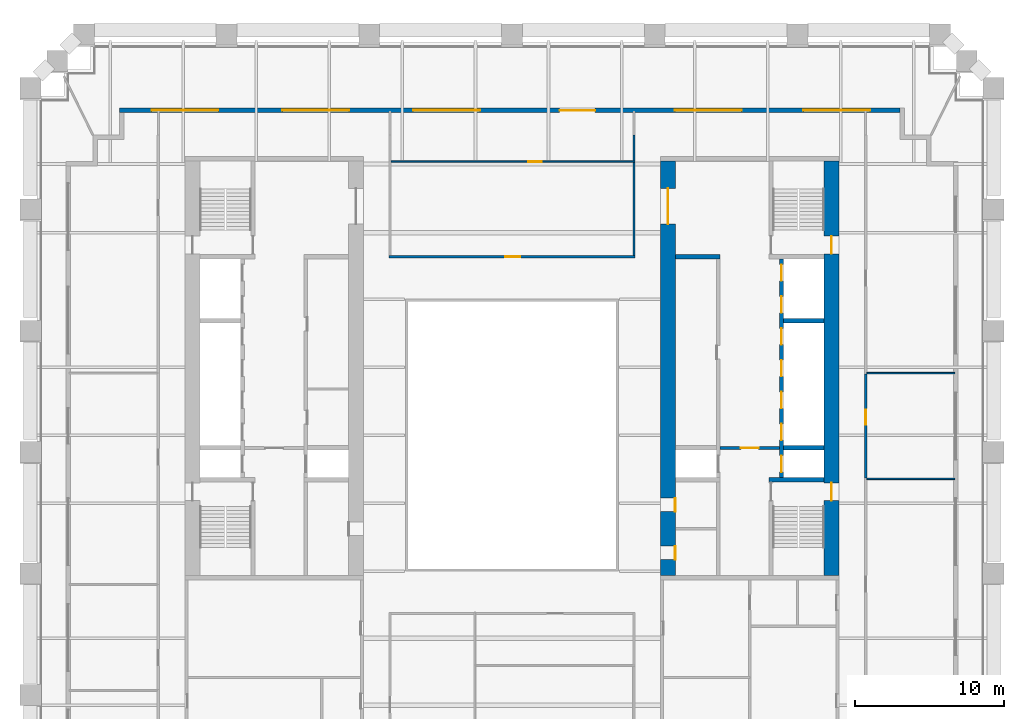
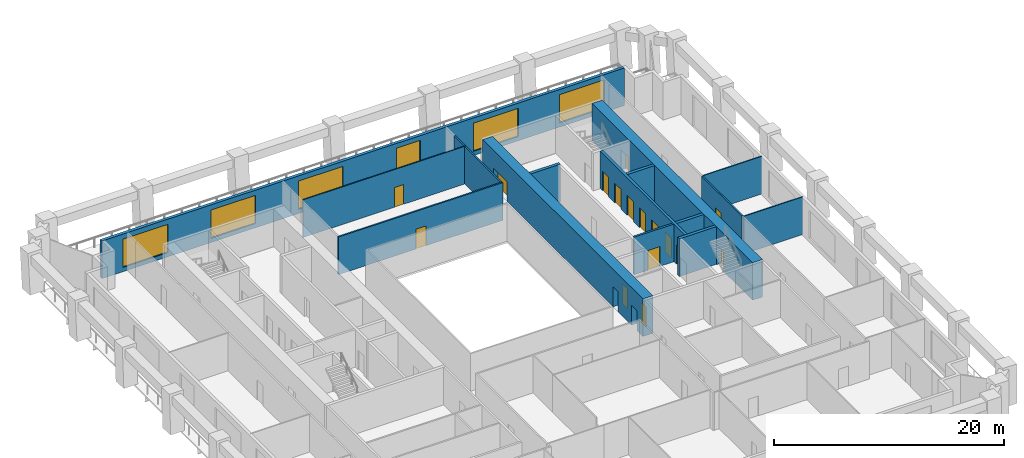
# One storey, part 7 of 9: 17 doors, 16 walls, 5 windows, 22 openings.
"""IFC4 building model written with IfcOpenShell, lengths in metres."""

import ifcopenshell
import ifcopenshell.guid

model = None  # the IFC model being written
_history = None  # IfcOwnerHistory: only IFC2X3 demands one
_inside = {}  # id of a spatial element -> (the spatial element, [elements in it])
_under = {}  # id of a project, library or spatial element -> (it, [spatial elements below it])
_declared = {}  # id of a project -> (the project, [libraries it declares])
_typed = {}  # id of a type object -> (the type object, [elements of that type])
_made_of = {}  # id of a material, layer set ... -> (it, [elements and type objects made of it])


def new_model(schema):
    """Start an empty IFC model of exactly this schema.

    Asked for "IFC4X3", IfcOpenShell would pick the latest addendum, in which some entities
    have other attributes; the version numbers below select the first issue.
    IFC2X3 requires an IfcOwnerHistory on every rooted entity: one is made here for all.
    """
    global model, _history
    if schema == "IFC4X3":
        model = ifcopenshell.file(schema_version=(4, 3, 0, 0))
    else:
        model = ifcopenshell.file(schema=schema)
    _inside.clear()
    _under.clear()
    _declared.clear()
    _typed.clear()
    _made_of.clear()
    _history = None
    if model.schema == "IFC2X3":
        org = make("IfcOrganization", Name="unknown")
        user = make(
            "IfcPersonAndOrganization",
            ThePerson=make("IfcPerson", FamilyName="unknown"),
            TheOrganization=org,
        )
        app = make(
            "IfcApplication",
            ApplicationDeveloper=org,
            Version="unknown",
            ApplicationFullName="unknown",
            ApplicationIdentifier="unknown",
        )
        _history = make(
            "IfcOwnerHistory",
            OwningUser=user,
            OwningApplication=app,
            ChangeAction="ADDED",
            CreationDate=0,
        )
    return model


def make(cls, **values):
    """One entity of the class cls with the attributes given. An attribute that is None is left unset."""
    return model.create_entity(
        cls, **{name: value for name, value in values.items() if value is not None}
    )


def rooted(cls, **values):
    """An entity with a GlobalId (a new one), such as an element, a storey or a relation."""
    return make(cls, GlobalId=ifcopenshell.guid.new(), OwnerHistory=_history, **values)


def si_unit(unit_type, name, prefix=None):
    """IfcSIUnit, for example si_unit("LENGTHUNIT", "METRE", prefix="MILLI")."""
    return make("IfcSIUnit", UnitType=unit_type, Prefix=prefix, Name=name)


def assignment(units):
    """IfcUnitAssignment: the units of a project."""
    return None if units is None else make("IfcUnitAssignment", Units=units)


def point(xyz):
    """IfcCartesianPoint."""
    return None if xyz is None else make("IfcCartesianPoint", Coordinates=xyz)


def direction(xyz):
    """IfcDirection."""
    return None if xyz is None else make("IfcDirection", DirectionRatios=xyz)


def frame(location, z_axis=None, x_axis=None):
    """IfcAxis2Placement3D, a coordinate frame: its origin and axes. An axis left out is left unset."""
    return make(
        "IfcAxis2Placement3D",
        Location=point(location),
        Axis=direction(z_axis),
        RefDirection=direction(x_axis),
    )


def frame_2d(location, x_axis=None):
    """IfcAxis2Placement2D, a coordinate frame in the plane: its origin and x axis."""
    return make(
        "IfcAxis2Placement2D", Location=point(location), RefDirection=direction(x_axis)
    )


def origin():
    """The frame at (0, 0, 0) with its axes left unset."""
    return frame((0.0, 0.0, 0.0))


def place(relative_to, where):
    """IfcLocalPlacement: puts the frame where relative to a parent placement (None: the world)."""
    return make(
        "IfcLocalPlacement", PlacementRelTo=relative_to, RelativePlacement=where
    )


def context(
    kind, dimensions, precision=None, world=None, true_north=None, identifier=None
):
    """IfcGeometricRepresentationContext, for example the 3D "Model" context."""
    return make(
        "IfcGeometricRepresentationContext",
        ContextIdentifier=identifier,
        ContextType=kind,
        CoordinateSpaceDimension=dimensions,
        Precision=precision,
        WorldCoordinateSystem=world,
        TrueNorth=true_north,
    )


def subcontext(parent, identifier, kind, view, scale=None):
    """IfcGeometricRepresentationSubContext, for example "Body" below "Model"."""
    return make(
        "IfcGeometricRepresentationSubContext",
        ContextIdentifier=identifier,
        ContextType=kind,
        ParentContext=parent,
        TargetScale=scale,
        TargetView=view,
    )


def project(units=None, contexts=None):
    """IfcProject with its units and contexts."""
    return rooted(
        "IfcProject",
        Name="project",
        RepresentationContexts=contexts,
        UnitsInContext=assignment(units),
    )


def spatial(cls, under=None, at=None, **own):
    """A site, building, storey or space (cls), placed at a placement, below another one or the project."""
    s = rooted(cls, ObjectPlacement=at, **own)
    if under is not None:
        _under.setdefault(under.id(), (under, []))[1].append(s)
    return s


def profile(cls, at=None, kind="AREA", **sizes):
    """A parametric profile (cls). Its sizes go by their IFC names, for example OverallWidth=200.0."""
    return make(cls, ProfileType=kind, Position=at, **sizes)


def rectangle(**sizes):
    """IfcRectangleProfileDef."""
    return profile("IfcRectangleProfileDef", **sizes)


def extrude(swept, where, along, depth):
    """IfcExtrudedAreaSolid: the profile swept, set in the frame where, extruded along a direction by depth."""
    return make(
        "IfcExtrudedAreaSolid",
        SweptArea=swept,
        Position=where,
        ExtrudedDirection=direction(along),
        Depth=depth,
    )


def shape(context_of_items, identifier, shape_type, items):
    """IfcShapeRepresentation: the items that make up one representation, for example the "Body"."""
    return make(
        "IfcShapeRepresentation",
        ContextOfItems=context_of_items,
        RepresentationIdentifier=identifier,
        RepresentationType=shape_type,
        Items=items,
    )


def material(Name=None, Category=None):
    """IfcMaterial."""
    return make("IfcMaterial", Name=Name, Category=Category)


def layer(
    of_material, thickness, ventilated=None, Name=None, Category=None, Priority=None
):
    """IfcMaterialLayer: one layer of a wall or slab, of a material (None: an air gap)."""
    return make(
        "IfcMaterialLayer",
        Material=of_material,
        LayerThickness=thickness,
        IsVentilated=ventilated,
        Name=Name,
        Category=Category,
        Priority=Priority,
    )


def layer_set(layers, Name=None):
    """IfcMaterialLayerSet."""
    return make("IfcMaterialLayerSet", MaterialLayers=layers, LayerSetName=Name)


def made_of(thing, what):
    """Note that an element or type object is made of a material, layer set ...; save() writes the relation."""
    if what is not None:
        _made_of.setdefault(what.id(), (what, []))[1].append(thing)
    return thing


def type_object(cls, material=None, **own):
    """A type object (cls), such as IfcWallType, which elements share."""
    return made_of(rooted(cls, **own), material)


def element(
    cls,
    number,
    at=None,
    inside=None,
    cuts=None,
    type_object=None,
    material=None,
    context=None,
    identifier="Body",
    shape_type=None,
    held_by="IfcProductDefinitionShape",
    body=None,
    shapes=None,
    **own,
):
    """One element of the class cls, such as IfcWall. Its Tag is "e" and its number.

    at: its placement. inside: the storey or other place that contains it. cuts: it is an
    opening in that element (IfcRelVoidsElement). A single representation is given by context,
    identifier, shape_type and body (its items); several are given by shapes. held_by: the class
    of the entity that holds the representations. save() writes the other relations.
    """
    e = rooted(cls, Tag="e%d" % number, ObjectPlacement=at, **own)
    if body is not None:
        shapes = [shape(context, identifier, shape_type, body)]
    if shapes is not None:
        e.Representation = make(held_by, Representations=shapes)
    if inside is not None:
        _inside.setdefault(inside.id(), (inside, []))[1].append(e)
    if cuts is not None:
        rooted(
            "IfcRelVoidsElement", RelatingBuildingElement=cuts, RelatedOpeningElement=e
        )
    if type_object is not None:
        _typed.setdefault(type_object.id(), (type_object, []))[1].append(e)
    return made_of(e, material)


def fill(opening, filler):
    """IfcRelFillsElement: the door or window that sits in an opening."""
    return rooted(
        "IfcRelFillsElement",
        RelatingOpeningElement=opening,
        RelatedBuildingElement=filler,
    )


def aggregate(whole, parts):
    """IfcRelAggregates: a whole, such as a stair, and the parts it consists of."""
    return rooted("IfcRelAggregates", RelatingObject=whole, RelatedObjects=parts)


def save(model, path):
    """Write the relations noted so far, then the file.

    IfcRelAggregates (storeys below a building ...), IfcRelContainedInSpatialStructure (elements
    in a storey), IfcRelDefinesByType, IfcRelAssociatesMaterial and IfcRelDeclares: one each for
    every whole, place, type object, material and project.
    """
    for whole, parts in _under.values():
        aggregate(whole, parts)
    for where, things in _inside.values():
        rooted(
            "IfcRelContainedInSpatialStructure",
            RelatedElements=things,
            RelatingStructure=where,
        )
    for kind, things in _typed.values():
        rooted("IfcRelDefinesByType", RelatedObjects=things, RelatingType=kind)
    for what, things in _made_of.values():
        rooted("IfcRelAssociatesMaterial", RelatedObjects=things, RelatingMaterial=what)
    for by, libraries in _declared.values():
        rooted("IfcRelDeclares", RelatingContext=by, RelatedDefinitions=libraries)
    model.write(path)


model = new_model("IFC4")

# Units and contexts
model_context = context("Model", 3, precision=1e-05, world=origin(), true_north=direction((0.0, 1.0)))
body_context = subcontext(model_context, "Body", "Model", "MODEL_VIEW")
ifc_project = project(units=[si_unit("LENGTHUNIT", "METRE"), si_unit("AREAUNIT", "SQUARE_METRE"), si_unit("VOLUMEUNIT", "CUBIC_METRE"), si_unit("PLANEANGLEUNIT", "RADIAN"), si_unit("MASSUNIT", "GRAM", prefix="KILO")], contexts=[model_context])

# Site, building, storey
site_placement = place(None, origin())
site = spatial("IfcSite", under=ifc_project, at=site_placement, CompositionType="ELEMENT")
building_placement = place(site_placement, origin())
building = spatial("IfcBuilding", under=site, at=building_placement, Name="Ogive Exchange Tower", CompositionType="ELEMENT")
storey_placement = place(building_placement, frame((0.0, 0.0, 60.60009765625)))
storey = spatial("IfcBuildingStorey", under=building, at=storey_placement, Name="L12", CompositionType="ELEMENT", Elevation=60.60009765625)

# Wall
ifc_material_1 = material(Name="Gypsum board partition")
ifc_layer_1 = layer(ifc_material_1, 0.300048828125)
ifc_layer_set_1 = layer_set([ifc_layer_1], Name="Core room partition 300 gypsum")
wall_type_1 = type_object("IfcWallType", Name="Core room partition 300 gypsum", PredefinedType="PARTITIONING", material=ifc_layer_set_1)
wall_1_placement = place(storey_placement, frame((11.0, 19.0, 0.0), z_axis=(0.0, 0.0, 1.0), x_axis=(1.0, 0.0, 0.0)))
element("IfcWall", 1, at=wall_1_placement, inside=storey, type_object=wall_type_1, Name="E row B room end wall 7", PredefinedType="PARTITIONING", context=body_context, shape_type="SweptSolid", body=[
    extrude(rectangle(XDim=3.0, YDim=0.300048828125, at=frame_2d((1.5, 0.0))), origin(), (0.0, 0.0, 1.0), 4.0),
])

# Wall, opening, door
ifc_material_2 = material(Name="Fire partition EI 60 150")
ifc_layer_2 = layer(ifc_material_2, 0.14990234375)
ifc_layer_set_2 = layer_set([ifc_layer_2], Name="Fire partition EI 60 150")
wall_type_2 = type_object("IfcWallType", Name="Fire partition EI 60 150", PredefinedType="PARTITIONING", material=ifc_layer_set_2)
wall_2_placement = place(storey_placement, frame((-8.27490234375, 19.0, 0.0), z_axis=(0.0, 0.0, 1.0), x_axis=(1.0, 0.0, 0.0)))
wall_2 = element("IfcWall", 2, at=wall_2_placement, inside=storey, type_object=wall_type_2, Name="L12-PWL-022", PredefinedType="PARTITIONING", context=body_context, shape_type="SweptSolid", body=[
    extrude(rectangle(XDim=16.5498046875, YDim=0.14990234375, at=frame_2d((8.27490234375, 0.0))), origin(), (0.0, 0.0, 1.0), 4.0),
])
opening_1_placement = place(wall_2_placement, frame((7.824951171875, 0.0, 0.0)))
opening_1 = element("IfcOpeningElement", 3, at=opening_1_placement, cuts=wall_2, Name="Opening L12-I01", PredefinedType="OPENING", context=body_context, shape_type="SweptSolid", body=[
    extrude(rectangle(XDim=1.0, YDim=2.10009765625, at=frame_2d((0.5, 1.050048828125))), frame((0.0, 0.0849609375, 0.0), z_axis=(0.0, -1.0, 0.0), x_axis=(1.0, 0.0, 0.0)), (0.0, 0.0, 1.0), 0.169921875),
])
ifc_material_3 = material(Name="Fire door FD 30S 1000 x 2100")
door_type_1 = type_object("IfcDoorType", Name="Fire door FD 30S 1000 x 2100", OperationType="NOTDEFINED", PredefinedType="DOOR", material=ifc_material_3)
door_1_placement = place(opening_1_placement, origin())
door_1 = element("IfcDoor", 4, at=door_1_placement, inside=storey, type_object=door_type_1, Name="L12-IDR-001", ObjectType="DT3", OperationType="SINGLE_SWING_RIGHT", OverallHeight=2.10009765625, OverallWidth=1.0, PredefinedType="DOOR", context=body_context, shape_type="SweptSolid", body=[
    extrude(rectangle(XDim=1.0, YDim=2.10009765625, at=frame_2d((0.5, 1.050048828125))), frame((0.0, 0.02490234375, 0.0), z_axis=(0.0, -1.0, 0.0), x_axis=(1.0, 0.0, 0.0)), (0.0, 0.0, 1.0), 0.050048828125),
])
fill(opening_1, door_1)

# Walls
wall_3_placement = place(storey_placement, frame((8.199951171875, 19.074951171875, 0.0), z_axis=(0.0, 0.0, 1.0), x_axis=(0.0, 1.0, 0.0)))
element("IfcWall", 5, at=wall_3_placement, inside=storey, type_object=wall_type_2, Name="L12-PWL-038", PredefinedType="PARTITIONING", context=body_context, shape_type="SweptSolid", body=[
    extrude(rectangle(XDim=6.275146484375, YDim=0.14990234375, at=frame_2d((3.1376953125, 0.0))), origin(), (0.0, 0.0, 1.0), 4.0),
])
wall_4_placement = place(storey_placement, frame((8.199951171875, 25.449951171875, 0.0), z_axis=(0.0, 0.0, 1.0), x_axis=(0.0, 1.0, 0.0)))
element("IfcWall", 6, at=wall_4_placement, inside=storey, type_object=wall_type_2, Name="L12-PWL-039", PredefinedType="PARTITIONING", context=body_context, shape_type="SweptSolid", body=[
    extrude(rectangle(XDim=1.75, YDim=0.14990234375, at=frame_2d((0.875, 0.0))), origin(), (0.0, 0.0, 1.0), 4.0),
])

# Wall, opening, door
wall_5_placement = place(storey_placement, frame((23.800048828125, 11.1201171875, 0.0), z_axis=(0.0, 0.0, 1.0), x_axis=(0.0, -1.0, 0.0)))
wall_5 = element("IfcWall", 7, at=wall_5_placement, inside=storey, type_object=wall_type_2, Name="L12-PWL-050", PredefinedType="PARTITIONING", context=body_context, shape_type="SweptSolid", body=[
    extrude(rectangle(XDim=7.010009765625, YDim=0.14990234375, at=frame_2d((3.5048828125, 0.0))), origin(), (0.0, 0.0, 1.0), 4.0),
])
opening_2_placement = place(wall_5_placement, frame((2.409912109375, 0.0, 0.0)))
opening_2 = element("IfcOpeningElement", 8, at=opening_2_placement, cuts=wall_5, Name="Opening L12-I05", PredefinedType="OPENING", context=body_context, shape_type="SweptSolid", body=[
    extrude(rectangle(XDim=1.0, YDim=2.10009765625, at=frame_2d((0.5, 1.050048828125))), frame((0.0, 0.0849609375, 0.0), z_axis=(0.0, -1.0, 0.0), x_axis=(1.0, 0.0, 0.0)), (0.0, 0.0, 1.0), 0.169921875),
])
door_2_placement = place(opening_2_placement, origin())
door_2 = element("IfcDoor", 9, at=door_2_placement, inside=storey, type_object=door_type_1, Name="L12-IDR-005", ObjectType="DT3", OperationType="SINGLE_SWING_RIGHT", OverallHeight=2.10009765625, OverallWidth=1.0, PredefinedType="DOOR", context=body_context, shape_type="SweptSolid", body=[
    extrude(rectangle(XDim=1.0, YDim=2.10009765625, at=frame_2d((0.5, 1.050048828125))), frame((0.0, 0.02490234375, 0.0), z_axis=(0.0, -1.0, 0.0), x_axis=(1.0, 0.0, 0.0)), (0.0, 0.0, 1.0), 0.050048828125),
])
fill(opening_2, door_2)

# Wall, openings, door, windows
ifc_material_4 = material(Name="Precast concrete C40/50", Category="concrete")
ifc_layer_3 = layer(ifc_material_4, 0.300048828125)
ifc_layer_set_3 = layer_set([ifc_layer_3], Name="Limestone-faced wall 300")
wall_type_3 = type_object("IfcWallType", Name="Limestone-faced wall 300", PredefinedType="STANDARD", material=ifc_layer_set_3)
wall_6_placement = place(storey_placement, frame((26.10009765625, 28.85009765625, 0.0), z_axis=(0.0, 0.0, 1.0), x_axis=(-1.0, 0.0, 0.0)))
wall_6 = element("IfcWall", 10, at=wall_6_placement, inside=storey, type_object=wall_type_3, Name="External wall N3", PredefinedType="STANDARD", context=body_context, shape_type="SweptSolid", body=[
    extrude(rectangle(XDim=52.5, YDim=0.300048828125, at=frame_2d((26.25, 0.0))), origin(), (0.0, 0.0, 1.0), 4.0),
])
opening_3_placement = place(wall_6_placement, frame((2.0, 0.0, 0.449951171875)))
opening_3 = element("IfcOpeningElement", 11, at=opening_3_placement, cuts=wall_6, Name="Opening W1A", PredefinedType="OPENING", context=body_context, shape_type="SweptSolid", body=[
    extrude(rectangle(XDim=4.5, YDim=3.0, at=frame_2d((2.25, 1.5))), frame((0.0, 0.159912109375, 0.0), z_axis=(0.0, -1.0, 0.0), x_axis=(1.0, 0.0, 0.0)), (0.0, 0.0, 1.0), 0.320068359375),
])
opening_4_placement = place(wall_6_placement, frame((10.64990234375, 0.0, 0.449951171875)))
opening_4 = element("IfcOpeningElement", 12, at=opening_4_placement, cuts=wall_6, Name="Opening W1A", PredefinedType="OPENING", context=body_context, shape_type="SweptSolid", body=[
    extrude(rectangle(XDim=4.5, YDim=3.0, at=frame_2d((2.25, 1.5))), frame((0.0, 0.159912109375, 0.0), z_axis=(0.0, -1.0, 0.0), x_axis=(1.0, 0.0, 0.0)), (0.0, 0.0, 1.0), 0.320068359375),
])
opening_5_placement = place(wall_6_placement, frame((20.5, 0.0, 0.0)))
opening_5 = element("IfcOpeningElement", 13, at=opening_5_placement, cuts=wall_6, Name="Opening D1", PredefinedType="OPENING", context=body_context, shape_type="SweptSolid", body=[
    extrude(rectangle(XDim=2.39990234375, YDim=3.5, at=frame_2d((1.199951171875, 1.75))), frame((0.0, 0.159912109375, 0.0), z_axis=(0.0, -1.0, 0.0), x_axis=(1.0, 0.0, 0.0)), (0.0, 0.0, 1.0), 0.320068359375),
])
opening_6_placement = place(wall_6_placement, frame((28.25, 0.0, 0.449951171875)))
opening_6 = element("IfcOpeningElement", 14, at=opening_6_placement, cuts=wall_6, Name="Opening W1A", PredefinedType="OPENING", context=body_context, shape_type="SweptSolid", body=[
    extrude(rectangle(XDim=4.5, YDim=3.0, at=frame_2d((2.25, 1.5))), frame((0.0, 0.159912109375, 0.0), z_axis=(0.0, -1.0, 0.0), x_axis=(1.0, 0.0, 0.0)), (0.0, 0.0, 1.0), 0.320068359375),
])
opening_7_placement = place(wall_6_placement, frame((37.050048828125, 0.0, 0.449951171875)))
opening_7 = element("IfcOpeningElement", 15, at=opening_7_placement, cuts=wall_6, Name="Opening W1A", PredefinedType="OPENING", context=body_context, shape_type="SweptSolid", body=[
    extrude(rectangle(XDim=4.5, YDim=3.0, at=frame_2d((2.25, 1.5))), frame((0.0, 0.159912109375, 0.0), z_axis=(0.0, -1.0, 0.0), x_axis=(1.0, 0.0, 0.0)), (0.0, 0.0, 1.0), 0.320068359375),
])
opening_8_placement = place(wall_6_placement, frame((45.85009765625, 0.0, 0.449951171875)))
opening_8 = element("IfcOpeningElement", 16, at=opening_8_placement, cuts=wall_6, Name="Opening W1A", PredefinedType="OPENING", context=body_context, shape_type="SweptSolid", body=[
    extrude(rectangle(XDim=4.5, YDim=3.0, at=frame_2d((2.25, 1.5))), frame((0.0, 0.159912109375, 0.0), z_axis=(0.0, -1.0, 0.0), x_axis=(1.0, 0.0, 0.0)), (0.0, 0.0, 1.0), 0.320068359375),
])
ifc_material_5 = material(Name="Clear glass in bronze frame", Category="glass")
door_type_2 = type_object("IfcDoorType", Name="Sliding loggia door 2400 x 3500", OperationType="DOUBLE_DOOR_SLIDING", PredefinedType="DOOR", material=ifc_material_5)
door_3_placement = place(opening_5_placement, origin())
door_3 = element("IfcDoor", 17, at=door_3_placement, inside=storey, type_object=door_type_2, Name="Loggia door N02", OperationType="DOUBLE_DOOR_SLIDING", OverallHeight=3.5, OverallWidth=2.39990234375, PredefinedType="DOOR", context=body_context, shape_type="SweptSolid", body=[
    extrude(rectangle(XDim=2.39990234375, YDim=3.5, at=frame_2d((1.199951171875, 1.75))), frame((0.0, 0.02490234375, 0.0), z_axis=(0.0, -1.0, 0.0), x_axis=(1.0, 0.0, 0.0)), (0.0, 0.0, 1.0), 0.050048828125),
])
fill(opening_5, door_3)
window_type = type_object("IfcWindowType", Name="Twin lancet window 4500 x 3000", PartitioningType="DOUBLE_PANEL_VERTICAL", PredefinedType="WINDOW", material=ifc_material_5)
window_1_placement = place(opening_3_placement, origin())
window_1 = element("IfcWindow", 18, at=window_1_placement, inside=storey, type_object=window_type, Name="Window N00", OverallHeight=3.0, OverallWidth=4.5, PartitioningType="DOUBLE_PANEL_VERTICAL", PredefinedType="WINDOW", context=body_context, shape_type="SweptSolid", body=[
    extrude(rectangle(XDim=4.5, YDim=3.0, at=frame_2d((2.25, 1.5))), frame((0.0, 0.030029296875, 0.0), z_axis=(0.0, -1.0, 0.0), x_axis=(1.0, 0.0, 0.0)), (0.0, 0.0, 1.0), 0.06005859375),
])
fill(opening_3, window_1)
window_2_placement = place(opening_4_placement, origin())
window_2 = element("IfcWindow", 19, at=window_2_placement, inside=storey, type_object=window_type, Name="Window N01", OverallHeight=3.0, OverallWidth=4.5, PartitioningType="DOUBLE_PANEL_VERTICAL", PredefinedType="WINDOW", context=body_context, shape_type="SweptSolid", body=[
    extrude(rectangle(XDim=4.5, YDim=3.0, at=frame_2d((2.25, 1.5))), frame((0.0, 0.030029296875, 0.0), z_axis=(0.0, -1.0, 0.0), x_axis=(1.0, 0.0, 0.0)), (0.0, 0.0, 1.0), 0.06005859375),
])
fill(opening_4, window_2)
window_3_placement = place(opening_6_placement, origin())
window_3 = element("IfcWindow", 20, at=window_3_placement, inside=storey, type_object=window_type, Name="Window N03", OverallHeight=3.0, OverallWidth=4.5, PartitioningType="DOUBLE_PANEL_VERTICAL", PredefinedType="WINDOW", context=body_context, shape_type="SweptSolid", body=[
    extrude(rectangle(XDim=4.5, YDim=3.0, at=frame_2d((2.25, 1.5))), frame((0.0, 0.030029296875, 0.0), z_axis=(0.0, -1.0, 0.0), x_axis=(1.0, 0.0, 0.0)), (0.0, 0.0, 1.0), 0.06005859375),
])
fill(opening_6, window_3)
window_4_placement = place(opening_7_placement, origin())
window_4 = element("IfcWindow", 21, at=window_4_placement, inside=storey, type_object=window_type, Name="Window N04", OverallHeight=3.0, OverallWidth=4.5, PartitioningType="DOUBLE_PANEL_VERTICAL", PredefinedType="WINDOW", context=body_context, shape_type="SweptSolid", body=[
    extrude(rectangle(XDim=4.5, YDim=3.0, at=frame_2d((2.25, 1.5))), frame((0.0, 0.030029296875, 0.0), z_axis=(0.0, -1.0, 0.0), x_axis=(1.0, 0.0, 0.0)), (0.0, 0.0, 1.0), 0.06005859375),
])
fill(opening_7, window_4)
window_5_placement = place(opening_8_placement, origin())
window_5 = element("IfcWindow", 22, at=window_5_placement, inside=storey, type_object=window_type, Name="Window N05", OverallHeight=3.0, OverallWidth=4.5, PartitioningType="DOUBLE_PANEL_VERTICAL", PredefinedType="WINDOW", context=body_context, shape_type="SweptSolid", body=[
    extrude(rectangle(XDim=4.5, YDim=3.0, at=frame_2d((2.25, 1.5))), frame((0.0, 0.030029296875, 0.0), z_axis=(0.0, -1.0, 0.0), x_axis=(1.0, 0.0, 0.0)), (0.0, 0.0, 1.0), 0.06005859375),
])
fill(opening_8, window_5)

# Wall, opening, door
ifc_material_6 = material(Name="Partition 100 gypsum")
ifc_layer_4 = layer(ifc_material_6, 0.10009765625)
ifc_layer_set_4 = layer_set([ifc_layer_4], Name="Partition 100 gypsum")
wall_type_4 = type_object("IfcWallType", Name="Partition 100 gypsum", PredefinedType="PARTITIONING", material=ifc_layer_set_4)
wall_7_placement = place(storey_placement, frame((-8.125, 25.39990234375, 0.0), z_axis=(0.0, 0.0, 1.0), x_axis=(1.0, 0.0, 0.0)))
wall_7 = element("IfcWall", 23, at=wall_7_placement, inside=storey, type_object=wall_type_4, Name="L12-PWL-024", PredefinedType="PARTITIONING", context=body_context, shape_type="SweptSolid", body=[
    extrude(rectangle(XDim=16.39990234375, YDim=0.10009765625, at=frame_2d((8.199951171875, 0.0))), origin(), (0.0, 0.0, 1.0), 4.0),
])
opening_9_placement = place(wall_7_placement, frame((9.22509765625, 0.0, 0.0)))
opening_9 = element("IfcOpeningElement", 24, at=opening_9_placement, cuts=wall_7, Name="Opening L12-I03", PredefinedType="OPENING", context=body_context, shape_type="SweptSolid", body=[
    extrude(rectangle(XDim=0.89990234375, YDim=2.10009765625, at=frame_2d((0.449951171875, 1.050048828125))), frame((0.0, 0.06005859375, 0.0), z_axis=(0.0, -1.0, 0.0), x_axis=(1.0, 0.0, 0.0)), (0.0, 0.0, 1.0), 0.1201171875),
])
ifc_material_7 = material(Name="Door 900 x 2100")
door_type_3 = type_object("IfcDoorType", Name="Door 900 x 2100", OperationType="NOTDEFINED", PredefinedType="DOOR", material=ifc_material_7)
door_4_placement = place(opening_9_placement, origin())
door_4 = element("IfcDoor", 25, at=door_4_placement, inside=storey, type_object=door_type_3, Name="L12-IDR-003", ObjectType="DT1", OperationType="SINGLE_SWING_RIGHT", OverallHeight=2.10009765625, OverallWidth=0.89990234375, PredefinedType="DOOR", context=body_context, shape_type="SweptSolid", body=[
    extrude(rectangle(XDim=0.89990234375, YDim=2.10009765625, at=frame_2d((0.449951171875, 1.050048828125))), frame((0.0, 0.02490234375, 0.0), z_axis=(0.0, -1.0, 0.0), x_axis=(1.0, 0.0, 0.0)), (0.0, 0.0, 1.0), 0.050048828125),
])
fill(opening_9, door_4)

# Walls
for number, where, z_axis, x_axis, name in (
    (26, (29.800048828125, 4.06005859375, 0.0), (0.0, 0.0, 1.0), (-1.0, 0.0, 0.0), "L12-PWL-057"),
    (27, (29.800048828125, 11.169921875, 0.0), (0.0, 0.0, 1.0), (-1.0, 0.0, 0.0), "L12-PWL-058"),
):
    element("IfcWall", number, at=place(storey_placement, frame(where, z_axis=z_axis, x_axis=x_axis)), inside=storey, type_object=wall_type_4, Name=name, PredefinedType="PARTITIONING", context=body_context, shape_type="SweptSolid", body=[
        extrude(rectangle(XDim=5.925048828125, YDim=0.10009765625, at=frame_2d((2.96240234375, 0.0))), origin(), (0.0, 0.0, 1.0), 4.0),
    ])

# Wall, openings, doors
ifc_material_8 = material(Name="Concrete C70/85", Category="concrete")
ifc_layer_5 = layer(ifc_material_8, 1.0)
ifc_layer_set_5 = layer_set([ifc_layer_5], Name="RC core wall 1000 C70/85")
wall_type_5 = type_object("IfcWallType", Name="RC core wall 1000 C70/85", PredefinedType="SHEAR", material=ifc_layer_set_5)
wall_8_placement = place(storey_placement, frame((21.5, -2.449951171875, 0.0), z_axis=(0.0, 0.0, 1.0), x_axis=(0.0, 1.0, 0.0)))
wall_8 = element("IfcWall", 28, at=wall_8_placement, inside=storey, type_object=wall_type_5, Name="E outer wall", PredefinedType="SHEAR", context=body_context, shape_type="SweptSolid", body=[
    extrude(rectangle(XDim=27.89990234375, YDim=1.0, at=frame_2d((13.949951171875, 0.0))), origin(), (0.0, 0.0, 1.0), 4.0),
])
opening_10_placement = place(wall_8_placement, frame((5.050048828125, 0.0, 0.0)))
opening_10 = element("IfcOpeningElement", 29, at=opening_10_placement, cuts=wall_8, Name="Opening L12-C34", PredefinedType="OPENING", context=body_context, shape_type="SweptSolid", body=[
    extrude(rectangle(XDim=1.199951171875, YDim=2.10009765625, at=frame_2d((0.60009765625, 1.050048828125))), frame((0.0, 0.510009765625, 0.0), z_axis=(0.0, -1.0, 0.0), x_axis=(1.0, 0.0, 0.0)), (0.0, 0.0, 1.0), 1.02001953125),
])
opening_11_placement = place(wall_8_placement, frame((21.64990234375, 0.0, 0.0)))
opening_11 = element("IfcOpeningElement", 30, at=opening_11_placement, cuts=wall_8, Name="Opening L12-C36", PredefinedType="OPENING", context=body_context, shape_type="SweptSolid", body=[
    extrude(rectangle(XDim=1.199951171875, YDim=2.10009765625, at=frame_2d((0.60009765625, 1.050048828125))), frame((0.0, 0.510009765625, 0.0), z_axis=(0.0, -1.0, 0.0), x_axis=(1.0, 0.0, 0.0)), (0.0, 0.0, 1.0), 1.02001953125),
])
ifc_material_9 = material(Name="Steel fire door", Category="steel")
door_type_4 = type_object("IfcDoorType", Name="Stair door FD90 1200 x 2100", OperationType="NOTDEFINED", PredefinedType="DOOR", material=ifc_material_9)
door_5_placement = place(opening_10_placement, origin())
door_5 = element("IfcDoor", 31, at=door_5_placement, inside=storey, type_object=door_type_4, Name="Stair door", ObjectType="CD5", OperationType="SINGLE_SWING_LEFT", OverallHeight=2.10009765625, OverallWidth=1.199951171875, PredefinedType="DOOR", context=body_context, shape_type="SweptSolid", body=[
    extrude(rectangle(XDim=1.199951171875, YDim=2.10009765625, at=frame_2d((0.60009765625, 1.050048828125))), frame((0.0, 0.02490234375, 0.0), z_axis=(0.0, -1.0, 0.0), x_axis=(1.0, 0.0, 0.0)), (0.0, 0.0, 1.0), 0.050048828125),
])
fill(opening_10, door_5)
door_6_placement = place(opening_11_placement, origin())
door_6 = element("IfcDoor", 32, at=door_6_placement, inside=storey, type_object=door_type_4, Name="Stair door", ObjectType="CD5", OperationType="SINGLE_SWING_RIGHT", OverallHeight=2.10009765625, OverallWidth=1.199951171875, PredefinedType="DOOR", context=body_context, shape_type="SweptSolid", body=[
    extrude(rectangle(XDim=1.199951171875, YDim=2.10009765625, at=frame_2d((0.60009765625, 1.050048828125))), frame((0.0, 0.02490234375, 0.0), z_axis=(0.0, -1.0, 0.0), x_axis=(1.0, 0.0, 0.0)), (0.0, 0.0, 1.0), 0.050048828125),
])
fill(opening_11, door_6)

wall_9_placement = place(storey_placement, frame((10.5, -2.449951171875, 0.0), z_axis=(0.0, 0.0, 1.0), x_axis=(0.0, 1.0, 0.0)))
wall_9 = element("IfcWall", 33, at=wall_9_placement, inside=storey, type_object=wall_type_5, Name="E inner wall", PredefinedType="SHEAR", context=body_context, shape_type="SweptSolid", body=[
    extrude(rectangle(XDim=27.89990234375, YDim=1.0, at=frame_2d((13.949951171875, 0.0))), origin(), (0.0, 0.0, 1.0), 4.0),
])
opening_12_placement = place(wall_9_placement, frame((23.64990234375, 0.0, 0.0)))
opening_12 = element("IfcOpeningElement", 34, at=opening_12_placement, cuts=wall_9, Name="Opening L12-C32", PredefinedType="OPENING", context=body_context, shape_type="SweptSolid", body=[
    extrude(rectangle(XDim=2.39990234375, YDim=2.10009765625, at=frame_2d((1.199951171875, 1.050048828125))), frame((0.0, 0.510009765625, 0.0), z_axis=(0.0, -1.0, 0.0), x_axis=(1.0, 0.0, 0.0)), (0.0, 0.0, 1.0), 1.02001953125),
])
opening_13_placement = place(wall_9_placement, frame((1.08740234375, 0.0, 0.0)))
opening_13 = element("IfcOpeningElement", 35, at=opening_13_placement, cuts=wall_9, Name="Opening L12-C37", PredefinedType="OPENING", context=body_context, shape_type="SweptSolid", body=[
    extrude(rectangle(XDim=0.89990234375, YDim=2.10009765625, at=frame_2d((0.449951171875, 1.050048828125))), frame((0.0, 0.510009765625, 0.0), z_axis=(0.0, -1.0, 0.0), x_axis=(1.0, 0.0, 0.0)), (0.0, 0.0, 1.0), 1.02001953125),
])
opening_14_placement = place(wall_9_placement, frame((4.3125, 0.0, 0.0)))
opening_14 = element("IfcOpeningElement", 36, at=opening_14_placement, cuts=wall_9, Name="Opening L12-C38", PredefinedType="OPENING", context=body_context, shape_type="SweptSolid", body=[
    extrude(rectangle(XDim=0.89990234375, YDim=2.10009765625, at=frame_2d((0.449951171875, 1.050048828125))), frame((0.0, 0.510009765625, 0.0), z_axis=(0.0, -1.0, 0.0), x_axis=(1.0, 0.0, 0.0)), (0.0, 0.0, 1.0), 1.02001953125),
])
ifc_material_10 = material(Name="Timber fire door", Category="wood")
door_type_5 = type_object("IfcDoorType", Name="Core room door FD30S 900 x 2100", OperationType="NOTDEFINED", PredefinedType="DOOR", material=ifc_material_10)
door_7_placement = place(opening_13_placement, frame((0.89990234375, -0.9501953125, 0.0), z_axis=(0.0, 0.0, 1.0), x_axis=(-1.0, 0.0, 0.0)))
door_7 = element("IfcDoor", 37, at=door_7_placement, inside=storey, type_object=door_type_5, Name="Core room door", ObjectType="CD6", OperationType="SINGLE_SWING_LEFT", OverallHeight=2.10009765625, OverallWidth=0.89990234375, PredefinedType="DOOR", context=body_context, shape_type="SweptSolid", body=[
    extrude(rectangle(XDim=0.89990234375, YDim=2.10009765625, at=frame_2d((0.449951171875, 1.050048828125))), frame((0.0, -0.4501953125, 0.0), z_axis=(0.0, -1.0, 0.0), x_axis=(1.0, 0.0, 0.0)), (0.0, 0.0, 1.0), 0.050048828125),
])
fill(opening_13, door_7)
ifc_material_11 = material(Name="Glazed steel fire door", Category="steel")
door_type_6 = type_object("IfcDoorType", Name="Lift lobby double door FD60 2400 x 2100", OperationType="DOUBLE_DOOR_SINGLE_SWING", PredefinedType="DOOR", material=ifc_material_11)
door_8_placement = place(opening_12_placement, frame((2.39990234375, 0.0, 0.0), z_axis=(0.0, 0.0, 1.0), x_axis=(-1.0, 0.0, 0.0)))
door_8 = element("IfcDoor", 38, at=door_8_placement, inside=storey, type_object=door_type_6, Name="Lift lobby double door", ObjectType="CD4", OperationType="DOUBLE_DOOR_SINGLE_SWING", OverallHeight=2.10009765625, OverallWidth=2.39990234375, PredefinedType="DOOR", context=body_context, shape_type="SweptSolid", body=[
    extrude(rectangle(XDim=2.39990234375, YDim=2.10009765625, at=frame_2d((1.199951171875, 1.050048828125))), frame((0.0, 0.02490234375, 0.0), z_axis=(0.0, -1.0, 0.0), x_axis=(1.0, 0.0, 0.0)), (0.0, 0.0, 1.0), 0.050048828125),
])
fill(opening_12, door_8)
door_type_7 = type_object("IfcDoorType", Name="Riser door FD60 900 x 2100", OperationType="NOTDEFINED", PredefinedType="DOOR", material=ifc_material_9)
door_9_placement = place(opening_14_placement, frame((0.89990234375, -0.9501953125, 0.0), z_axis=(0.0, 0.0, 1.0), x_axis=(-1.0, 0.0, 0.0)))
door_9 = element("IfcDoor", 39, at=door_9_placement, inside=storey, type_object=door_type_7, Name="Riser door", ObjectType="CD2", OperationType="SINGLE_SWING_RIGHT", OverallHeight=2.10009765625, OverallWidth=0.89990234375, PredefinedType="DOOR", context=body_context, shape_type="SweptSolid", body=[
    extrude(rectangle(XDim=0.89990234375, YDim=2.10009765625, at=frame_2d((0.449951171875, 1.050048828125))), frame((0.0, -0.4501953125, 0.0), z_axis=(0.0, -1.0, 0.0), x_axis=(1.0, 0.0, 0.0)), (0.0, 0.0, 1.0), 0.050048828125),
])
fill(opening_14, door_9)

# Wall, opening, door
ifc_layer_6 = layer(ifc_material_8, 0.199951171875)
ifc_layer_set_6 = layer_set([ifc_layer_6], Name="RC core wall 200 C70/85")
wall_type_6 = type_object("IfcWallType", Name="RC core wall 200 C70/85", PredefinedType="SHEAR", material=ifc_layer_set_6)
wall_10_placement = place(storey_placement, frame((14.0, 6.142822265625, 0.0), z_axis=(0.0, 0.0, 1.0), x_axis=(1.0, 0.0, 0.0)))
wall_10 = element("IfcWall", 40, at=wall_10_placement, inside=storey, type_object=wall_type_6, Name="E firefighting lobby wall", PredefinedType="SHEAR", context=body_context, shape_type="SweptSolid", body=[
    extrude(rectangle(XDim=4.0, YDim=0.199951171875, at=frame_2d((2.0, 0.0))), origin(), (0.0, 0.0, 1.0), 4.0),
])
opening_15_placement = place(wall_10_placement, frame((1.39990234375, 0.0, 0.0)))
opening_15 = element("IfcOpeningElement", 41, at=opening_15_placement, cuts=wall_10, Name="Opening L12-C31", PredefinedType="OPENING", context=body_context, shape_type="SweptSolid", body=[
    extrude(rectangle(XDim=1.199951171875, YDim=2.10009765625, at=frame_2d((0.60009765625, 1.050048828125))), frame((0.0, 0.10986328125, 0.0), z_axis=(0.0, -1.0, 0.0), x_axis=(1.0, 0.0, 0.0)), (0.0, 0.0, 1.0), 0.219970703125),
])
door_type_8 = type_object("IfcDoorType", Name="Firefighting lobby door FD60 1200 x 2100", OperationType="NOTDEFINED", PredefinedType="DOOR", material=ifc_material_9)
door_10_placement = place(opening_15_placement, frame((1.199951171875, 0.0, 0.0), z_axis=(0.0, 0.0, 1.0), x_axis=(-1.0, 0.0, 0.0)))
door_10 = element("IfcDoor", 42, at=door_10_placement, inside=storey, type_object=door_type_8, Name="Firefighting lobby door", ObjectType="CD3", OperationType="SINGLE_SWING_RIGHT", OverallHeight=2.10009765625, OverallWidth=1.199951171875, PredefinedType="DOOR", context=body_context, shape_type="SweptSolid", body=[
    extrude(rectangle(XDim=1.199951171875, YDim=2.10009765625, at=frame_2d((0.60009765625, 1.050048828125))), frame((0.0, 0.02490234375, 0.0), z_axis=(0.0, -1.0, 0.0), x_axis=(1.0, 0.0, 0.0)), (0.0, 0.0, 1.0), 0.050048828125),
])
fill(opening_15, door_10)

# Wall, openings, doors
ifc_layer_7 = layer(ifc_material_8, 0.25)
ifc_layer_set_7 = layer_set([ifc_layer_7], Name="RC core wall 250 C70/85")
wall_type_7 = type_object("IfcWallType", Name="RC core wall 250 C70/85", PredefinedType="SHEAR", material=ifc_layer_set_7)
wall_11_placement = place(storey_placement, frame((18.125, 4.14990234375, 0.0), z_axis=(0.0, 0.0, 1.0), x_axis=(0.0, 1.0, 0.0)))
wall_11 = element("IfcWall", 43, at=wall_11_placement, inside=storey, type_object=wall_type_7, Name="E row A front wall", PredefinedType="SHEAR", context=body_context, shape_type="SweptSolid", body=[
    extrude(rectangle(XDim=14.7001953125, YDim=0.25, at=frame_2d((7.35009765625, 0.0))), origin(), (0.0, 0.0, 1.0), 4.0),
])
opening_16_placement = place(wall_11_placement, frame((0.371337890625, 0.0, 0.0)))
opening_16 = element("IfcOpeningElement", 44, at=opening_16_placement, cuts=wall_11, Name="Opening L12-C22", PredefinedType="OPENING", context=body_context, shape_type="SweptSolid", body=[
    extrude(rectangle(XDim=1.10009765625, YDim=2.10009765625, at=frame_2d((0.550048828125, 1.050048828125))), frame((0.0, 0.135009765625, 0.0), z_axis=(0.0, -1.0, 0.0), x_axis=(1.0, 0.0, 0.0)), (0.0, 0.0, 1.0), 0.27001953125),
])
opening_17_placement = place(wall_11_placement, frame((2.514404296875, 0.0, 0.0)))
opening_17 = element("IfcOpeningElement", 45, at=opening_17_placement, cuts=wall_11, Name="Opening L12-C23", PredefinedType="OPENING", context=body_context, shape_type="SweptSolid", body=[
    extrude(rectangle(XDim=1.10009765625, YDim=2.10009765625, at=frame_2d((0.550048828125, 1.050048828125))), frame((0.0, 0.135009765625, 0.0), z_axis=(0.0, -1.0, 0.0), x_axis=(1.0, 0.0, 0.0)), (0.0, 0.0, 1.0), 0.27001953125),
])
opening_18_placement = place(wall_11_placement, frame((4.656982421875, 0.0, 0.0)))
opening_18 = element("IfcOpeningElement", 46, at=opening_18_placement, cuts=wall_11, Name="Opening L12-C24", PredefinedType="OPENING", context=body_context, shape_type="SweptSolid", body=[
    extrude(rectangle(XDim=1.10009765625, YDim=2.10009765625, at=frame_2d((0.550048828125, 1.050048828125))), frame((0.0, 0.135009765625, 0.0), z_axis=(0.0, -1.0, 0.0), x_axis=(1.0, 0.0, 0.0)), (0.0, 0.0, 1.0), 0.27001953125),
])
opening_19_placement = place(wall_11_placement, frame((6.800048828125, 0.0, 0.0)))
opening_19 = element("IfcOpeningElement", 47, at=opening_19_placement, cuts=wall_11, Name="Opening L12-C25", PredefinedType="OPENING", context=body_context, shape_type="SweptSolid", body=[
    extrude(rectangle(XDim=1.10009765625, YDim=2.10009765625, at=frame_2d((0.550048828125, 1.050048828125))), frame((0.0, 0.135009765625, 0.0), z_axis=(0.0, -1.0, 0.0), x_axis=(1.0, 0.0, 0.0)), (0.0, 0.0, 1.0), 0.27001953125),
])
opening_20_placement = place(wall_11_placement, frame((8.94287109375, 0.0, 0.0)))
opening_20 = element("IfcOpeningElement", 48, at=opening_20_placement, cuts=wall_11, Name="Opening L12-C26", PredefinedType="OPENING", context=body_context, shape_type="SweptSolid", body=[
    extrude(rectangle(XDim=1.10009765625, YDim=2.10009765625, at=frame_2d((0.550048828125, 1.050048828125))), frame((0.0, 0.135009765625, 0.0), z_axis=(0.0, -1.0, 0.0), x_axis=(1.0, 0.0, 0.0)), (0.0, 0.0, 1.0), 0.27001953125),
])
opening_21_placement = place(wall_11_placement, frame((11.085693359375, 0.0, 0.0)))
opening_21 = element("IfcOpeningElement", 49, at=opening_21_placement, cuts=wall_11, Name="Opening L12-C27", PredefinedType="OPENING", context=body_context, shape_type="SweptSolid", body=[
    extrude(rectangle(XDim=1.10009765625, YDim=2.10009765625, at=frame_2d((0.550048828125, 1.050048828125))), frame((0.0, 0.135009765625, 0.0), z_axis=(0.0, -1.0, 0.0), x_axis=(1.0, 0.0, 0.0)), (0.0, 0.0, 1.0), 0.27001953125),
])
opening_22_placement = place(wall_11_placement, frame((13.228515625, 0.0, 0.0)))
opening_22 = element("IfcOpeningElement", 50, at=opening_22_placement, cuts=wall_11, Name="Opening L12-C28", PredefinedType="OPENING", context=body_context, shape_type="SweptSolid", body=[
    extrude(rectangle(XDim=1.10009765625, YDim=2.10009765625, at=frame_2d((0.550048828125, 1.050048828125))), frame((0.0, 0.135009765625, 0.0), z_axis=(0.0, -1.0, 0.0), x_axis=(1.0, 0.0, 0.0)), (0.0, 0.0, 1.0), 0.27001953125),
])
ifc_material_12 = material(Name="Stainless steel", Category="steel")
door_type_9 = type_object("IfcDoorType", Name="Lift landing door FD90 1100 x 2100", OperationType="SLIDING_TO_LEFT", PredefinedType="DOOR", material=ifc_material_12)
door_11_placement = place(opening_16_placement, origin())
door_11 = element("IfcDoor", 51, at=door_11_placement, inside=storey, type_object=door_type_9, Name="Lift landing door FF2", ObjectType="LD", OperationType="SLIDING_TO_LEFT", OverallHeight=2.10009765625, OverallWidth=1.10009765625, PredefinedType="DOOR", context=body_context, shape_type="SweptSolid", body=[
    extrude(rectangle(XDim=1.10009765625, YDim=2.10009765625, at=frame_2d((0.550048828125, 1.050048828125))), frame((0.0, 0.02490234375, 0.0), z_axis=(0.0, -1.0, 0.0), x_axis=(1.0, 0.0, 0.0)), (0.0, 0.0, 1.0), 0.050048828125),
])
fill(opening_16, door_11)
door_12_placement = place(opening_17_placement, origin())
door_12 = element("IfcDoor", 52, at=door_12_placement, inside=storey, type_object=door_type_9, Name="Lift landing door E-L1", ObjectType="LD", OperationType="SLIDING_TO_LEFT", OverallHeight=2.10009765625, OverallWidth=1.10009765625, PredefinedType="DOOR", context=body_context, shape_type="SweptSolid", body=[
    extrude(rectangle(XDim=1.10009765625, YDim=2.10009765625, at=frame_2d((0.550048828125, 1.050048828125))), frame((0.0, 0.02490234375, 0.0), z_axis=(0.0, -1.0, 0.0), x_axis=(1.0, 0.0, 0.0)), (0.0, 0.0, 1.0), 0.050048828125),
])
fill(opening_17, door_12)
door_13_placement = place(opening_18_placement, origin())
door_13 = element("IfcDoor", 53, at=door_13_placement, inside=storey, type_object=door_type_9, Name="Lift landing door E-L2", ObjectType="LD", OperationType="SLIDING_TO_LEFT", OverallHeight=2.10009765625, OverallWidth=1.10009765625, PredefinedType="DOOR", context=body_context, shape_type="SweptSolid", body=[
    extrude(rectangle(XDim=1.10009765625, YDim=2.10009765625, at=frame_2d((0.550048828125, 1.050048828125))), frame((0.0, 0.02490234375, 0.0), z_axis=(0.0, -1.0, 0.0), x_axis=(1.0, 0.0, 0.0)), (0.0, 0.0, 1.0), 0.050048828125),
])
fill(opening_18, door_13)
door_14_placement = place(opening_19_placement, origin())
door_14 = element("IfcDoor", 54, at=door_14_placement, inside=storey, type_object=door_type_9, Name="Lift landing door E-L3", ObjectType="LD", OperationType="SLIDING_TO_LEFT", OverallHeight=2.10009765625, OverallWidth=1.10009765625, PredefinedType="DOOR", context=body_context, shape_type="SweptSolid", body=[
    extrude(rectangle(XDim=1.10009765625, YDim=2.10009765625, at=frame_2d((0.550048828125, 1.050048828125))), frame((0.0, 0.02490234375, 0.0), z_axis=(0.0, -1.0, 0.0), x_axis=(1.0, 0.0, 0.0)), (0.0, 0.0, 1.0), 0.050048828125),
])
fill(opening_19, door_14)
door_15_placement = place(opening_20_placement, origin())
door_15 = element("IfcDoor", 55, at=door_15_placement, inside=storey, type_object=door_type_9, Name="Lift landing door E-L4", ObjectType="LD", OperationType="SLIDING_TO_LEFT", OverallHeight=2.10009765625, OverallWidth=1.10009765625, PredefinedType="DOOR", context=body_context, shape_type="SweptSolid", body=[
    extrude(rectangle(XDim=1.10009765625, YDim=2.10009765625, at=frame_2d((0.550048828125, 1.050048828125))), frame((0.0, 0.02490234375, 0.0), z_axis=(0.0, -1.0, 0.0), x_axis=(1.0, 0.0, 0.0)), (0.0, 0.0, 1.0), 0.050048828125),
])
fill(opening_20, door_15)
door_16_placement = place(opening_21_placement, origin())
door_16 = element("IfcDoor", 56, at=door_16_placement, inside=storey, type_object=door_type_9, Name="Lift landing door E-SH1", ObjectType="LD", OperationType="SLIDING_TO_LEFT", OverallHeight=2.10009765625, OverallWidth=1.10009765625, PredefinedType="DOOR", context=body_context, shape_type="SweptSolid", body=[
    extrude(rectangle(XDim=1.10009765625, YDim=2.10009765625, at=frame_2d((0.550048828125, 1.050048828125))), frame((0.0, 0.02490234375, 0.0), z_axis=(0.0, -1.0, 0.0), x_axis=(1.0, 0.0, 0.0)), (0.0, 0.0, 1.0), 0.050048828125),
])
fill(opening_21, door_16)
door_17_placement = place(opening_22_placement, origin())
door_17 = element("IfcDoor", 57, at=door_17_placement, inside=storey, type_object=door_type_9, Name="Lift landing door E-SH2", ObjectType="LD", OperationType="SLIDING_TO_LEFT", OverallHeight=2.10009765625, OverallWidth=1.10009765625, PredefinedType="DOOR", context=body_context, shape_type="SweptSolid", body=[
    extrude(rectangle(XDim=1.10009765625, YDim=2.10009765625, at=frame_2d((0.550048828125, 1.050048828125))), frame((0.0, 0.02490234375, 0.0), z_axis=(0.0, -1.0, 0.0), x_axis=(1.0, 0.0, 0.0)), (0.0, 0.0, 1.0), 0.050048828125),
])
fill(opening_22, door_17)

# Walls
ifc_layer_8 = layer(ifc_material_8, 0.300048828125)
ifc_layer_set_8 = layer_set([ifc_layer_8], Name="RC core wall 300 C70/85")
wall_type_8 = type_object("IfcWallType", Name="RC core wall 300 C70/85", PredefinedType="SHEAR", material=ifc_layer_set_8)
wall_12_placement = place(storey_placement, frame((17.300048828125, 4.0, 0.0), z_axis=(0.0, 0.0, 1.0), x_axis=(1.0, 0.0, 0.0)))
element("IfcWall", 58, at=wall_12_placement, inside=storey, type_object=wall_type_8, Name="E stair S north wall", PredefinedType="SHEAR", context=body_context, shape_type="SweptSolid", body=[
    extrude(rectangle(XDim=3.699951171875, YDim=0.300048828125, at=frame_2d((1.85009765625, 0.0))), origin(), (0.0, 0.0, 1.0), 4.0),
])
for number, where, z_axis, x_axis, name in (
    (59, (18.25, 6.142822265625, 0.0), (0.0, 0.0, 1.0), (1.0, 0.0, 0.0), "E row A divider 1"),
    (60, (18.25, 14.71435546875, 0.0), (0.0, 0.0, 1.0), (1.0, 0.0, 0.0), "E row A divider 5"),
):
    element("IfcWall", number, at=place(storey_placement, frame(where, z_axis=z_axis, x_axis=x_axis)), inside=storey, type_object=wall_type_8, Name=name, PredefinedType="SHEAR", context=body_context, shape_type="SweptSolid", body=[
        extrude(rectangle(XDim=2.75, YDim=0.300048828125, at=frame_2d((1.375, 0.0))), origin(), (0.0, 0.0, 1.0), 4.0),
    ])

save(model, "model.ifc")
